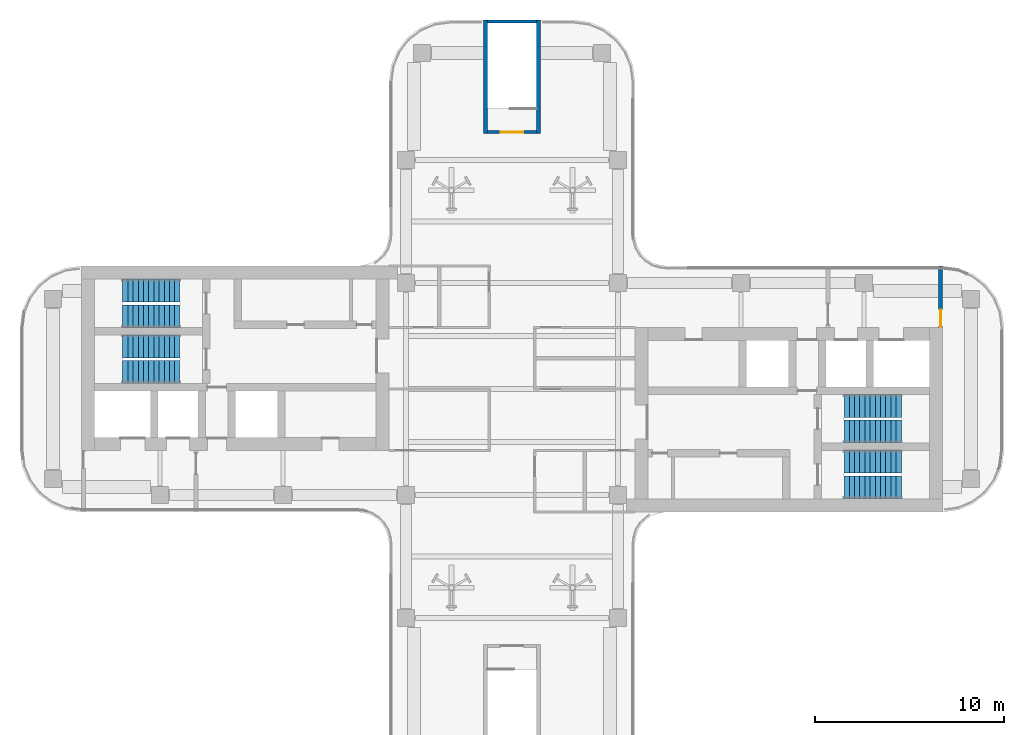
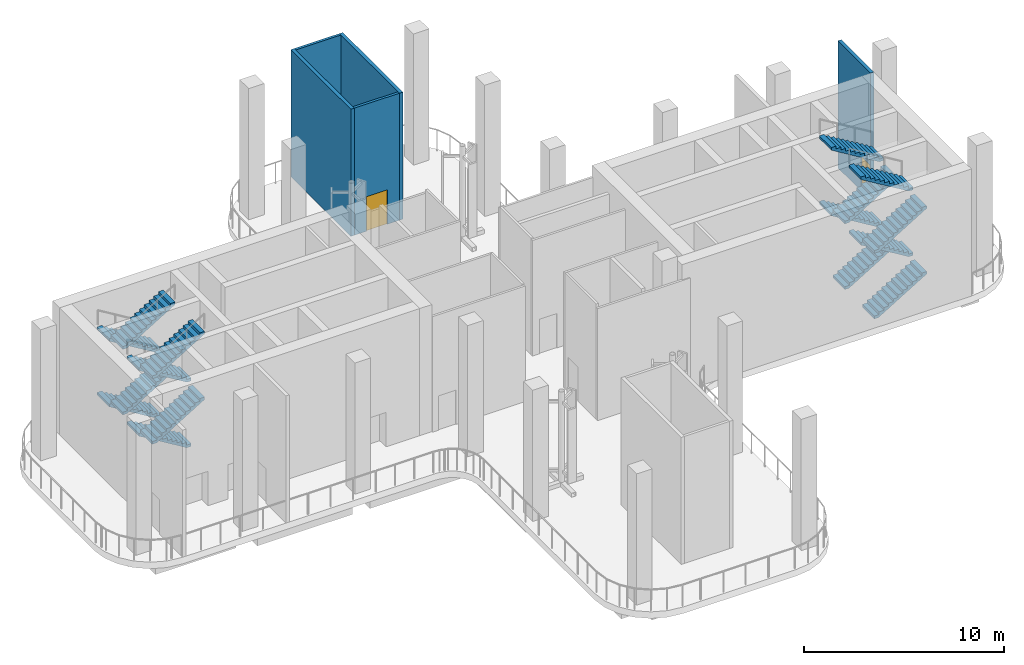
# One storey, part 4 of 8: 16 stair flights, 5 walls, 2 doors, 2 openings, 4 elements without a shape of their own.
"""IFC4 building model written with IfcOpenShell, lengths in metres."""

import ifcopenshell
import ifcopenshell.guid

model = None  # the IFC model being written
_history = None  # IfcOwnerHistory: only IFC2X3 demands one
_inside = {}  # id of a spatial element -> (the spatial element, [elements in it])
_under = {}  # id of a project, library or spatial element -> (it, [spatial elements below it])
_declared = {}  # id of a project -> (the project, [libraries it declares])
_typed = {}  # id of a type object -> (the type object, [elements of that type])
_made_of = {}  # id of a material, layer set ... -> (it, [elements and type objects made of it])


def new_model(schema):
    """Start an empty IFC model of exactly this schema.

    Asked for "IFC4X3", IfcOpenShell would pick the latest addendum, in which some entities
    have other attributes; the version numbers below select the first issue.
    IFC2X3 requires an IfcOwnerHistory on every rooted entity: one is made here for all.
    """
    global model, _history
    if schema == "IFC4X3":
        model = ifcopenshell.file(schema_version=(4, 3, 0, 0))
    else:
        model = ifcopenshell.file(schema=schema)
    _inside.clear()
    _under.clear()
    _declared.clear()
    _typed.clear()
    _made_of.clear()
    _history = None
    if model.schema == "IFC2X3":
        org = make("IfcOrganization", Name="unknown")
        user = make(
            "IfcPersonAndOrganization",
            ThePerson=make("IfcPerson", FamilyName="unknown"),
            TheOrganization=org,
        )
        app = make(
            "IfcApplication",
            ApplicationDeveloper=org,
            Version="unknown",
            ApplicationFullName="unknown",
            ApplicationIdentifier="unknown",
        )
        _history = make(
            "IfcOwnerHistory",
            OwningUser=user,
            OwningApplication=app,
            ChangeAction="ADDED",
            CreationDate=0,
        )
    return model


def make(cls, **values):
    """One entity of the class cls with the attributes given. An attribute that is None is left unset."""
    return model.create_entity(
        cls, **{name: value for name, value in values.items() if value is not None}
    )


def rooted(cls, **values):
    """An entity with a GlobalId (a new one), such as an element, a storey or a relation."""
    return make(cls, GlobalId=ifcopenshell.guid.new(), OwnerHistory=_history, **values)


def si_unit(unit_type, name, prefix=None):
    """IfcSIUnit, for example si_unit("LENGTHUNIT", "METRE", prefix="MILLI")."""
    return make("IfcSIUnit", UnitType=unit_type, Prefix=prefix, Name=name)


def assignment(units):
    """IfcUnitAssignment: the units of a project."""
    return None if units is None else make("IfcUnitAssignment", Units=units)


def point(xyz):
    """IfcCartesianPoint."""
    return None if xyz is None else make("IfcCartesianPoint", Coordinates=xyz)


def direction(xyz):
    """IfcDirection."""
    return None if xyz is None else make("IfcDirection", DirectionRatios=xyz)


def frame(location, z_axis=None, x_axis=None):
    """IfcAxis2Placement3D, a coordinate frame: its origin and axes. An axis left out is left unset."""
    return make(
        "IfcAxis2Placement3D",
        Location=point(location),
        Axis=direction(z_axis),
        RefDirection=direction(x_axis),
    )


def frame_2d(location, x_axis=None):
    """IfcAxis2Placement2D, a coordinate frame in the plane: its origin and x axis."""
    return make(
        "IfcAxis2Placement2D", Location=point(location), RefDirection=direction(x_axis)
    )


def origin():
    """The frame at (0, 0, 0) with its axes left unset."""
    return frame((0.0, 0.0, 0.0))


def place(relative_to, where):
    """IfcLocalPlacement: puts the frame where relative to a parent placement (None: the world)."""
    return make(
        "IfcLocalPlacement", PlacementRelTo=relative_to, RelativePlacement=where
    )


def context(
    kind, dimensions, precision=None, world=None, true_north=None, identifier=None
):
    """IfcGeometricRepresentationContext, for example the 3D "Model" context."""
    return make(
        "IfcGeometricRepresentationContext",
        ContextIdentifier=identifier,
        ContextType=kind,
        CoordinateSpaceDimension=dimensions,
        Precision=precision,
        WorldCoordinateSystem=world,
        TrueNorth=true_north,
    )


def subcontext(parent, identifier, kind, view, scale=None):
    """IfcGeometricRepresentationSubContext, for example "Body" below "Model"."""
    return make(
        "IfcGeometricRepresentationSubContext",
        ContextIdentifier=identifier,
        ContextType=kind,
        ParentContext=parent,
        TargetScale=scale,
        TargetView=view,
    )


def project(units=None, contexts=None):
    """IfcProject with its units and contexts."""
    return rooted(
        "IfcProject",
        Name="project",
        RepresentationContexts=contexts,
        UnitsInContext=assignment(units),
    )


def spatial(cls, under=None, at=None, **own):
    """A site, building, storey or space (cls), placed at a placement, below another one or the project."""
    s = rooted(cls, ObjectPlacement=at, **own)
    if under is not None:
        _under.setdefault(under.id(), (under, []))[1].append(s)
    return s


def polyline(points):
    """IfcPolyline through the points."""
    return make("IfcPolyline", Points=[point(p) for p in points])


def profile(cls, at=None, kind="AREA", **sizes):
    """A parametric profile (cls). Its sizes go by their IFC names, for example OverallWidth=200.0."""
    return make(cls, ProfileType=kind, Position=at, **sizes)


def rectangle(**sizes):
    """IfcRectangleProfileDef."""
    return profile("IfcRectangleProfileDef", **sizes)


def outline(outer, holes=None, kind="AREA"):
    """IfcArbitraryClosedProfileDef: a profile drawn as a closed curve; with holes, ...WithVoids."""
    if holes is None:
        return make("IfcArbitraryClosedProfileDef", ProfileType=kind, OuterCurve=outer)
    return make(
        "IfcArbitraryProfileDefWithVoids",
        ProfileType=kind,
        OuterCurve=outer,
        InnerCurves=holes,
    )


def extrude(swept, where, along, depth):
    """IfcExtrudedAreaSolid: the profile swept, set in the frame where, extruded along a direction by depth."""
    return make(
        "IfcExtrudedAreaSolid",
        SweptArea=swept,
        Position=where,
        ExtrudedDirection=direction(along),
        Depth=depth,
    )


def shape(context_of_items, identifier, shape_type, items):
    """IfcShapeRepresentation: the items that make up one representation, for example the "Body"."""
    return make(
        "IfcShapeRepresentation",
        ContextOfItems=context_of_items,
        RepresentationIdentifier=identifier,
        RepresentationType=shape_type,
        Items=items,
    )


def source(mapping_origin, context_of_items, identifier, shape_type, items):
    """IfcRepresentationMap: a shape defined once, which mapped items show again and again."""
    return make(
        "IfcRepresentationMap",
        MappingOrigin=mapping_origin,
        MappedRepresentation=shape(context_of_items, identifier, shape_type, items),
    )


def transform(
    local_origin,
    x_axis=None,
    y_axis=None,
    z_axis=None,
    scale=None,
    scale2=None,
    scale3=None,
    uniform=True,
):
    """IfcCartesianTransformationOperator3D, or its non-uniform kind. x_axis, y_axis, z_axis: its Axis1, 2, 3."""
    if uniform:
        return make(
            "IfcCartesianTransformationOperator3D",
            Axis1=direction(x_axis),
            Axis2=direction(y_axis),
            LocalOrigin=point(local_origin),
            Scale=scale,
            Axis3=direction(z_axis),
        )
    return make(
        "IfcCartesianTransformationOperator3DnonUniform",
        Axis1=direction(x_axis),
        Axis2=direction(y_axis),
        LocalOrigin=point(local_origin),
        Scale=scale,
        Axis3=direction(z_axis),
        Scale2=scale2,
        Scale3=scale3,
    )


def mapped(mapping_source, mapping_target):
    """IfcMappedItem: shows the shape of a source again, moved by a transform."""
    return make(
        "IfcMappedItem", MappingSource=mapping_source, MappingTarget=mapping_target
    )


def material(Name=None, Category=None):
    """IfcMaterial."""
    return make("IfcMaterial", Name=Name, Category=Category)


def layer(
    of_material, thickness, ventilated=None, Name=None, Category=None, Priority=None
):
    """IfcMaterialLayer: one layer of a wall or slab, of a material (None: an air gap)."""
    return make(
        "IfcMaterialLayer",
        Material=of_material,
        LayerThickness=thickness,
        IsVentilated=ventilated,
        Name=Name,
        Category=Category,
        Priority=Priority,
    )


def layer_set(layers, Name=None):
    """IfcMaterialLayerSet."""
    return make("IfcMaterialLayerSet", MaterialLayers=layers, LayerSetName=Name)


def made_of(thing, what):
    """Note that an element or type object is made of a material, layer set ...; save() writes the relation."""
    if what is not None:
        _made_of.setdefault(what.id(), (what, []))[1].append(thing)
    return thing


def type_object(cls, material=None, **own):
    """A type object (cls), such as IfcWallType, which elements share."""
    return made_of(rooted(cls, **own), material)


def element(
    cls,
    number,
    at=None,
    inside=None,
    cuts=None,
    type_object=None,
    material=None,
    context=None,
    identifier="Body",
    shape_type=None,
    held_by="IfcProductDefinitionShape",
    body=None,
    shapes=None,
    **own,
):
    """One element of the class cls, such as IfcWall. Its Tag is "e" and its number.

    at: its placement. inside: the storey or other place that contains it. cuts: it is an
    opening in that element (IfcRelVoidsElement). A single representation is given by context,
    identifier, shape_type and body (its items); several are given by shapes. held_by: the class
    of the entity that holds the representations. save() writes the other relations.
    """
    e = rooted(cls, Tag="e%d" % number, ObjectPlacement=at, **own)
    if body is not None:
        shapes = [shape(context, identifier, shape_type, body)]
    if shapes is not None:
        e.Representation = make(held_by, Representations=shapes)
    if inside is not None:
        _inside.setdefault(inside.id(), (inside, []))[1].append(e)
    if cuts is not None:
        rooted(
            "IfcRelVoidsElement", RelatingBuildingElement=cuts, RelatedOpeningElement=e
        )
    if type_object is not None:
        _typed.setdefault(type_object.id(), (type_object, []))[1].append(e)
    return made_of(e, material)


def fill(opening, filler):
    """IfcRelFillsElement: the door or window that sits in an opening."""
    return rooted(
        "IfcRelFillsElement",
        RelatingOpeningElement=opening,
        RelatedBuildingElement=filler,
    )


def aggregate(whole, parts):
    """IfcRelAggregates: a whole, such as a stair, and the parts it consists of."""
    return rooted("IfcRelAggregates", RelatingObject=whole, RelatedObjects=parts)


def save(model, path):
    """Write the relations noted so far, then the file.

    IfcRelAggregates (storeys below a building ...), IfcRelContainedInSpatialStructure (elements
    in a storey), IfcRelDefinesByType, IfcRelAssociatesMaterial and IfcRelDeclares: one each for
    every whole, place, type object, material and project.
    """
    for whole, parts in _under.values():
        aggregate(whole, parts)
    for where, things in _inside.values():
        rooted(
            "IfcRelContainedInSpatialStructure",
            RelatedElements=things,
            RelatingStructure=where,
        )
    for kind, things in _typed.values():
        rooted("IfcRelDefinesByType", RelatedObjects=things, RelatingType=kind)
    for what, things in _made_of.values():
        rooted("IfcRelAssociatesMaterial", RelatedObjects=things, RelatingMaterial=what)
    for by, libraries in _declared.values():
        rooted("IfcRelDeclares", RelatingContext=by, RelatedDefinitions=libraries)
    model.write(path)


model = new_model("IFC4")

# Units and contexts
model_context = context("Model", 3, precision=1e-05, world=origin(), true_north=direction((0.0, 1.0)))
body_context = subcontext(model_context, "Body", "Model", "MODEL_VIEW")
ifc_project = project(units=[si_unit("LENGTHUNIT", "METRE"), si_unit("AREAUNIT", "SQUARE_METRE"), si_unit("VOLUMEUNIT", "CUBIC_METRE"), si_unit("PLANEANGLEUNIT", "RADIAN"), si_unit("MASSUNIT", "GRAM", prefix="KILO")], contexts=[model_context])

# Site, building, storey
site_placement = place(None, origin())
site = spatial("IfcSite", under=ifc_project, at=site_placement, CompositionType="ELEMENT")
building_placement = place(site_placement, origin())
building = spatial("IfcBuilding", under=site, at=building_placement, Name="Trellis Farm Tower", CompositionType="ELEMENT")
storey_placement = place(building_placement, frame((0.0, 0.0, 330.10009765625)))
storey = spatial("IfcBuildingStorey", under=building, at=storey_placement, Name="L75", CompositionType="ELEMENT", Elevation=330.10009765625)

# Wall, opening, door
ifc_material_1 = material(Name="Masonry blockwork", Category="masonry")
ifc_layer_1 = layer(ifc_material_1, 0.199951171875)
ifc_layer_set_1 = layer_set([ifc_layer_1], Name="FIRE LOBBY PARTITION 200 BLOCKWORK")
wall_type_1 = type_object("IfcWallType", Name="FIRE LOBBY PARTITION 200 BLOCKWORK", PredefinedType="PARTITIONING", material=ifc_layer_set_1)
shared_shape_1 = source(origin(), body_context, "Body", "SweptSolid", [
    extrude(rectangle(XDim=3.25, YDim=0.199951171875, at=frame_2d((1.625, 0.0))), origin(), (0.0, 0.0, 1.0), 7.75),
])
wall_1_placement = place(storey_placement, frame((22.64990234375, 3.25, 0.0), z_axis=(0.0, 0.0, 1.0), x_axis=(0.0, 1.0, 0.0)))
wall_1 = element("IfcWall", 1, at=wall_1_placement, inside=storey, type_object=wall_type_1, Name="Fire-fighting lobby partition", PredefinedType="PARTITIONING", context=body_context, shape_type="MappedRepresentation", body=[
    mapped(shared_shape_1, transform((0.0, 0.0, 0.0))),
])
shared_shape_2 = source(origin(), body_context, "Body", "SweptSolid", [
    extrude(rectangle(XDim=0.89990234375, YDim=2.10009765625, at=frame_2d((0.449951171875, 1.050048828125))), frame((0.0, 0.110107421875, 0.0), z_axis=(0.0, -1.0, 0.0), x_axis=(1.0, 0.0, 0.0)), (0.0, 0.0, 1.0), 0.22021484375),
])
opening_1_placement = place(wall_1_placement, frame((0.050048828125, 0.0, 0.0)))
opening_1 = element("IfcOpeningElement", 2, at=opening_1_placement, cuts=wall_1, Name="Opening DC8", PredefinedType="OPENING", context=body_context, shape_type="MappedRepresentation", body=[
    mapped(shared_shape_2, transform((0.0, 0.0, 0.0))),
])
ifc_material_2 = material(Name="Steel", Category="steel")
door_type_1 = type_object("IfcDoorType", Name="CORE FIRE DOOR 900 X 2100", OperationType="NOTDEFINED", PredefinedType="DOOR", material=ifc_material_2)
shared_shape_3 = source(origin(), body_context, "Body", "SweptSolid", [
    extrude(rectangle(XDim=0.89990234375, YDim=2.10009765625, at=frame_2d((0.449951171875, 1.050048828125))), frame((0.0, 0.02490234375, 0.0), z_axis=(0.0, -1.0, 0.0), x_axis=(1.0, 0.0, 0.0)), (0.0, 0.0, 1.0), 0.050048828125),
])
door_1_placement = place(opening_1_placement, origin())
door_1 = element("IfcDoor", 3, at=door_1_placement, inside=storey, type_object=door_type_1, Name="Core door", OperationType="SINGLE_SWING_RIGHT", OverallHeight=2.10009765625, OverallWidth=0.89990234375, PredefinedType="DOOR", context=body_context, shape_type="MappedRepresentation", body=[
    mapped(shared_shape_3, transform((0.0, 0.0, 0.0))),
])
fill(opening_1, door_1)

# Walls
ifc_material_3 = material(Name="Concrete C50/60", Category="concrete")
ifc_layer_2 = layer(ifc_material_3, 0.199951171875)
ifc_layer_set_2 = layer_set([ifc_layer_2], Name="CORE STAIR ENCLOSURE WALL 200 CONCRETE C50/60")
wall_type_2 = type_object("IfcWallType", Name="CORE STAIR ENCLOSURE WALL 200 CONCRETE C50/60", PredefinedType="SHEAR", material=ifc_layer_set_2)
shared_shape_4 = source(origin(), body_context, "Body", "SweptSolid", [
    extrude(rectangle(XDim=6.0, YDim=0.199951171875, at=frame_2d((3.0, 0.0))), origin(), (0.0, 0.0, 1.0), 7.75),
])
for number, where, z_axis, x_axis, name in (
    (4, (-1.39990234375, 13.5, 0.0), (0.0, 0.0, 1.0), (0.0, 1.0, 0.0), "Stair enclosure wall"),
    (5, (1.39990234375, 13.5, 0.0), (0.0, 0.0, 1.0), (0.0, 1.0, 0.0), "Stair enclosure wall"),
):
    element("IfcWall", number, at=place(storey_placement, frame(where, z_axis=z_axis, x_axis=x_axis)), inside=storey, type_object=wall_type_2, Name=name, PredefinedType="SHEAR", context=body_context, shape_type="MappedRepresentation", body=[
        mapped(shared_shape_4, transform((0.0, 0.0, 0.0))),
    ])

# Wall, opening, door
ifc_layer_3 = layer(ifc_material_3, 0.14990234375)
ifc_layer_set_3 = layer_set([ifc_layer_3], Name="CORE STAIR ENCLOSURE WALL 150 CONCRETE C50/60")
wall_type_3 = type_object("IfcWallType", Name="CORE STAIR ENCLOSURE WALL 150 CONCRETE C50/60", PredefinedType="SHEAR", material=ifc_layer_set_3)
shared_shape_5 = source(origin(), body_context, "Body", "SweptSolid", [
    extrude(rectangle(XDim=2.60009765625, YDim=0.14990234375, at=frame_2d((1.300048828125, 0.0))), origin(), (0.0, 0.0, 1.0), 7.75),
])
wall_2_placement = place(storey_placement, frame((-1.300048828125, 13.574951171875, 0.0), z_axis=(0.0, 0.0, 1.0), x_axis=(1.0, 0.0, 0.0)))
wall_2 = element("IfcWall", 6, at=wall_2_placement, inside=storey, type_object=wall_type_3, Name="Stair enclosure wall", PredefinedType="SHEAR", context=body_context, shape_type="MappedRepresentation", body=[
    mapped(shared_shape_5, transform((0.0, 0.0, 0.0))),
])
shared_shape_6 = source(origin(), body_context, "Body", "SweptSolid", [
    extrude(rectangle(XDim=1.199951171875, YDim=2.10009765625, at=frame_2d((0.60009765625, 1.050048828125))), frame((0.0, 0.0849609375, 0.0), z_axis=(0.0, -1.0, 0.0), x_axis=(1.0, 0.0, 0.0)), (0.0, 0.0, 1.0), 0.169921875),
])
opening_2_placement = place(wall_2_placement, frame((0.699951171875, 0.0, 0.0)))
opening_2 = element("IfcOpeningElement", 7, at=opening_2_placement, cuts=wall_2, Name="Opening DC173", PredefinedType="OPENING", context=body_context, shape_type="MappedRepresentation", body=[
    mapped(shared_shape_6, transform((0.0, 0.0, 0.0))),
])
door_type_2 = type_object("IfcDoorType", Name="CORE FIRE DOOR 1200 X 2100", OperationType="NOTDEFINED", PredefinedType="DOOR", material=ifc_material_2)
shared_shape_7 = source(origin(), body_context, "Body", "SweptSolid", [
    extrude(rectangle(XDim=1.199951171875, YDim=2.10009765625, at=frame_2d((0.60009765625, 1.050048828125))), frame((0.0, 0.02490234375, 0.0), z_axis=(0.0, -1.0, 0.0), x_axis=(1.0, 0.0, 0.0)), (0.0, 0.0, 1.0), 0.050048828125),
])
door_2_placement = place(opening_2_placement, origin())
door_2 = element("IfcDoor", 8, at=door_2_placement, inside=storey, type_object=door_type_2, Name="Core door", OperationType="SINGLE_SWING_LEFT", OverallHeight=2.10009765625, OverallWidth=1.199951171875, PredefinedType="DOOR", context=body_context, shape_type="MappedRepresentation", body=[
    mapped(shared_shape_7, transform((0.0, 0.0, 0.0))),
])
fill(opening_2, door_2)

# Wall
wall_3_placement = place(storey_placement, frame((-1.300048828125, 19.425048828125, 0.0), z_axis=(0.0, 0.0, 1.0), x_axis=(1.0, 0.0, 0.0)))
element("IfcWall", 9, at=wall_3_placement, inside=storey, type_object=wall_type_3, Name="Stair enclosure wall", PredefinedType="SHEAR", context=body_context, shape_type="MappedRepresentation", body=[
    mapped(shared_shape_5, transform((0.0, 0.0, 0.0))),
])

# Stair, stair flights
stair_type = type_object("IfcStairType", Name="CORE EXIT STAIR 48 RISERS 167 MM", PredefinedType="HALF_TURN_STAIR", material=ifc_material_3)
placement = place(storey_placement, origin())
stair_1 = element("IfcStair", 10, at=placement, inside=storey, type_object=stair_type, Name="Exit stair E1", PredefinedType="HALF_TURN_STAIR")
stair_flight_type = type_object("IfcStairFlightType", Name="STAIR FLIGHT 12 RISERS 167 MM", PredefinedType="STRAIGHT", material=ifc_material_3)
shared_shape_8 = source(origin(), body_context, "Body", "SweptSolid", [
    extrude(outline(polyline([(0.0, 0.0), (0.0, 0.166748046875), (0.27490234375, 0.166748046875), (0.27490234375, 0.333251953125), (0.550048828125, 0.333251953125), (0.550048828125, 0.5), (0.824951171875, 0.5), (0.824951171875, 0.666748046875), (1.10009765625, 0.666748046875), (1.10009765625, 0.833251953125), (1.375, 0.833251953125), (1.375, 1.0), (1.64990234375, 1.0), (1.64990234375, 1.166748046875), (1.925048828125, 1.166748046875), (1.925048828125, 1.333251953125), (2.199951171875, 1.333251953125), (2.199951171875, 1.5), (2.47509765625, 1.5), (2.47509765625, 1.666748046875), (2.75, 1.666748046875), (2.75, 1.833251953125), (3.02490234375, 1.833251953125), (3.02490234375, 2.0), (3.02490234375, 1.681396484375), (0.25048828125, 0.0), (0.0, 0.0)])), frame((0.0, 0.60009765625, 0.0), z_axis=(0.0, -1.0, 0.0), x_axis=(1.0, 0.0, 0.0)), (0.0, 0.0, 1.0), 1.199951171875),
])
stair_flight_1_placement = place(storey_placement, frame((17.550048828125, -5.199951171875, 0.0), z_axis=(0.0, 0.0, 1.0), x_axis=(1.0, 0.0, 0.0)))
stair_flight_1 = element("IfcStairFlight", 11, at=stair_flight_1_placement, type_object=stair_flight_type, Name="STE1 flight 1", NumberOfRisers=12, NumberOfTreads=11, PredefinedType="STRAIGHT", RiserHeight=0.166666667, TreadLength=0.275, context=body_context, shape_type="MappedRepresentation", body=[
    mapped(shared_shape_8, transform((0.0, 0.0, 0.0))),
])
stair_flight_2_placement = place(storey_placement, frame((20.574951171875, -3.85009765625, 2.0), z_axis=(0.0, 0.0, 1.0), x_axis=(-1.0, 0.0, 0.0)))
stair_flight_2 = element("IfcStairFlight", 12, at=stair_flight_2_placement, type_object=stair_flight_type, Name="STE1 flight 2", NumberOfRisers=12, NumberOfTreads=11, PredefinedType="STRAIGHT", RiserHeight=0.166666667, TreadLength=0.275, context=body_context, shape_type="MappedRepresentation", body=[
    mapped(shared_shape_8, transform((0.0, 0.0, 0.0))),
])
stair_flight_3_placement = place(storey_placement, frame((17.550048828125, -5.199951171875, 4.0), z_axis=(0.0, 0.0, 1.0), x_axis=(1.0, 0.0, 0.0)))
stair_flight_3 = element("IfcStairFlight", 13, at=stair_flight_3_placement, type_object=stair_flight_type, Name="STE1 flight 3", NumberOfRisers=12, NumberOfTreads=11, PredefinedType="STRAIGHT", RiserHeight=0.166666667, TreadLength=0.275, context=body_context, shape_type="MappedRepresentation", body=[
    mapped(shared_shape_8, transform((0.0, 0.0, 0.0))),
])
stair_flight_4_placement = place(storey_placement, frame((20.574951171875, -3.85009765625, 6.0), z_axis=(0.0, 0.0, 1.0), x_axis=(-1.0, 0.0, 0.0)))
stair_flight_4 = element("IfcStairFlight", 14, at=stair_flight_4_placement, type_object=stair_flight_type, Name="STE1 flight 4", NumberOfRisers=12, NumberOfTreads=11, PredefinedType="STRAIGHT", RiserHeight=0.166666667, TreadLength=0.275, context=body_context, shape_type="MappedRepresentation", body=[
    mapped(shared_shape_8, transform((0.0, 0.0, 0.0))),
])
aggregate(stair_1, [stair_flight_1, stair_flight_2, stair_flight_3, stair_flight_4])

stair_2 = element("IfcStair", 15, at=placement, inside=storey, type_object=stair_type, Name="Exit stair E2", PredefinedType="HALF_TURN_STAIR")
stair_flight_5_placement = place(storey_placement, frame((17.550048828125, -2.25, 0.0), z_axis=(0.0, 0.0, 1.0), x_axis=(1.0, 0.0, 0.0)))
stair_flight_5 = element("IfcStairFlight", 16, at=stair_flight_5_placement, type_object=stair_flight_type, Name="STE2 flight 1", NumberOfRisers=12, NumberOfTreads=11, PredefinedType="STRAIGHT", RiserHeight=0.166666667, TreadLength=0.275, context=body_context, shape_type="MappedRepresentation", body=[
    mapped(shared_shape_8, transform((0.0, 0.0, 0.0))),
])
stair_flight_6_placement = place(storey_placement, frame((20.574951171875, -0.89990234375, 2.0), z_axis=(0.0, 0.0, 1.0), x_axis=(-1.0, 0.0, 0.0)))
stair_flight_6 = element("IfcStairFlight", 17, at=stair_flight_6_placement, type_object=stair_flight_type, Name="STE2 flight 2", NumberOfRisers=12, NumberOfTreads=11, PredefinedType="STRAIGHT", RiserHeight=0.166666667, TreadLength=0.275, context=body_context, shape_type="MappedRepresentation", body=[
    mapped(shared_shape_8, transform((0.0, 0.0, 0.0))),
])
stair_flight_7_placement = place(storey_placement, frame((17.550048828125, -2.25, 4.0), z_axis=(0.0, 0.0, 1.0), x_axis=(1.0, 0.0, 0.0)))
stair_flight_7 = element("IfcStairFlight", 18, at=stair_flight_7_placement, type_object=stair_flight_type, Name="STE2 flight 3", NumberOfRisers=12, NumberOfTreads=11, PredefinedType="STRAIGHT", RiserHeight=0.166666667, TreadLength=0.275, context=body_context, shape_type="MappedRepresentation", body=[
    mapped(shared_shape_8, transform((0.0, 0.0, 0.0))),
])
stair_flight_8_placement = place(storey_placement, frame((20.574951171875, -0.89990234375, 6.0), z_axis=(0.0, 0.0, 1.0), x_axis=(-1.0, 0.0, 0.0)))
stair_flight_8 = element("IfcStairFlight", 19, at=stair_flight_8_placement, type_object=stair_flight_type, Name="STE2 flight 4", NumberOfRisers=12, NumberOfTreads=11, PredefinedType="STRAIGHT", RiserHeight=0.166666667, TreadLength=0.275, context=body_context, shape_type="MappedRepresentation", body=[
    mapped(shared_shape_8, transform((0.0, 0.0, 0.0))),
])
aggregate(stair_2, [stair_flight_5, stair_flight_6, stair_flight_7, stair_flight_8])

stair_3 = element("IfcStair", 20, at=placement, inside=storey, type_object=stair_type, Name="Exit stair W1", PredefinedType="HALF_TURN_STAIR")
stair_flight_9_placement = place(storey_placement, frame((-17.550048828125, 5.199951171875, 0.0), z_axis=(0.0, 0.0, 1.0), x_axis=(-1.0, 0.0, 0.0)))
stair_flight_9 = element("IfcStairFlight", 21, at=stair_flight_9_placement, type_object=stair_flight_type, Name="STW1 flight 1", NumberOfRisers=12, NumberOfTreads=11, PredefinedType="STRAIGHT", RiserHeight=0.166666667, TreadLength=0.275, context=body_context, shape_type="MappedRepresentation", body=[
    mapped(shared_shape_8, transform((0.0, 0.0, 0.0))),
])
stair_flight_10_placement = place(storey_placement, frame((-20.574951171875, 3.85009765625, 2.0), z_axis=(0.0, 0.0, 1.0), x_axis=(1.0, 0.0, 0.0)))
stair_flight_10 = element("IfcStairFlight", 22, at=stair_flight_10_placement, type_object=stair_flight_type, Name="STW1 flight 2", NumberOfRisers=12, NumberOfTreads=11, PredefinedType="STRAIGHT", RiserHeight=0.166666667, TreadLength=0.275, context=body_context, shape_type="MappedRepresentation", body=[
    mapped(shared_shape_8, transform((0.0, 0.0, 0.0))),
])
stair_flight_11_placement = place(storey_placement, frame((-17.550048828125, 5.199951171875, 4.0), z_axis=(0.0, 0.0, 1.0), x_axis=(-1.0, 0.0, 0.0)))
stair_flight_11 = element("IfcStairFlight", 23, at=stair_flight_11_placement, type_object=stair_flight_type, Name="STW1 flight 3", NumberOfRisers=12, NumberOfTreads=11, PredefinedType="STRAIGHT", RiserHeight=0.166666667, TreadLength=0.275, context=body_context, shape_type="MappedRepresentation", body=[
    mapped(shared_shape_8, transform((0.0, 0.0, 0.0))),
])
stair_flight_12_placement = place(storey_placement, frame((-20.574951171875, 3.85009765625, 6.0), z_axis=(0.0, 0.0, 1.0), x_axis=(1.0, 0.0, 0.0)))
stair_flight_12 = element("IfcStairFlight", 24, at=stair_flight_12_placement, type_object=stair_flight_type, Name="STW1 flight 4", NumberOfRisers=12, NumberOfTreads=11, PredefinedType="STRAIGHT", RiserHeight=0.166666667, TreadLength=0.275, context=body_context, shape_type="MappedRepresentation", body=[
    mapped(shared_shape_8, transform((0.0, 0.0, 0.0))),
])
aggregate(stair_3, [stair_flight_9, stair_flight_10, stair_flight_11, stair_flight_12])

stair_4 = element("IfcStair", 25, at=placement, inside=storey, type_object=stair_type, Name="Exit stair W2", PredefinedType="HALF_TURN_STAIR")
stair_flight_13_placement = place(storey_placement, frame((-17.550048828125, 2.25, 0.0), z_axis=(0.0, 0.0, 1.0), x_axis=(-1.0, 0.0, 0.0)))
stair_flight_13 = element("IfcStairFlight", 26, at=stair_flight_13_placement, type_object=stair_flight_type, Name="STW2 flight 1", NumberOfRisers=12, NumberOfTreads=11, PredefinedType="STRAIGHT", RiserHeight=0.166666667, TreadLength=0.275, context=body_context, shape_type="MappedRepresentation", body=[
    mapped(shared_shape_8, transform((0.0, 0.0, 0.0))),
])
stair_flight_14_placement = place(storey_placement, frame((-20.574951171875, 0.89990234375, 2.0), z_axis=(0.0, 0.0, 1.0), x_axis=(1.0, 0.0, 0.0)))
stair_flight_14 = element("IfcStairFlight", 27, at=stair_flight_14_placement, type_object=stair_flight_type, Name="STW2 flight 2", NumberOfRisers=12, NumberOfTreads=11, PredefinedType="STRAIGHT", RiserHeight=0.166666667, TreadLength=0.275, context=body_context, shape_type="MappedRepresentation", body=[
    mapped(shared_shape_8, transform((0.0, 0.0, 0.0))),
])
stair_flight_15_placement = place(storey_placement, frame((-17.550048828125, 2.25, 4.0), z_axis=(0.0, 0.0, 1.0), x_axis=(-1.0, 0.0, 0.0)))
stair_flight_15 = element("IfcStairFlight", 28, at=stair_flight_15_placement, type_object=stair_flight_type, Name="STW2 flight 3", NumberOfRisers=12, NumberOfTreads=11, PredefinedType="STRAIGHT", RiserHeight=0.166666667, TreadLength=0.275, context=body_context, shape_type="MappedRepresentation", body=[
    mapped(shared_shape_8, transform((0.0, 0.0, 0.0))),
])
stair_flight_16_placement = place(storey_placement, frame((-20.574951171875, 0.89990234375, 6.0), z_axis=(0.0, 0.0, 1.0), x_axis=(1.0, 0.0, 0.0)))
stair_flight_16 = element("IfcStairFlight", 29, at=stair_flight_16_placement, type_object=stair_flight_type, Name="STW2 flight 4", NumberOfRisers=12, NumberOfTreads=11, PredefinedType="STRAIGHT", RiserHeight=0.166666667, TreadLength=0.275, context=body_context, shape_type="MappedRepresentation", body=[
    mapped(shared_shape_8, transform((0.0, 0.0, 0.0))),
])
aggregate(stair_4, [stair_flight_13, stair_flight_14, stair_flight_15, stair_flight_16])

save(model, "model.ifc")
